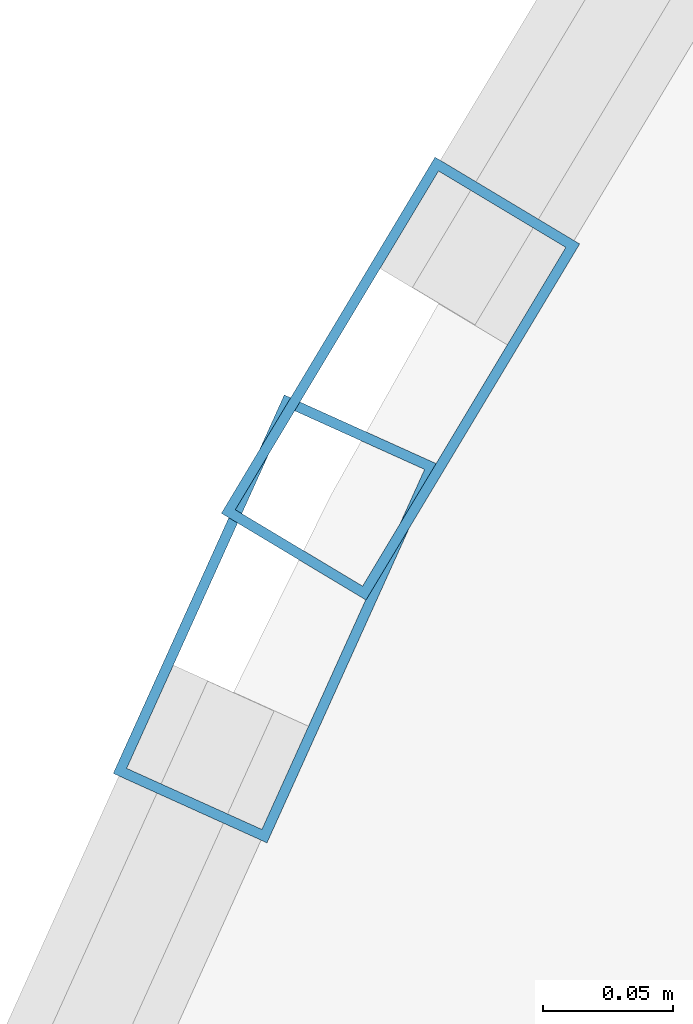
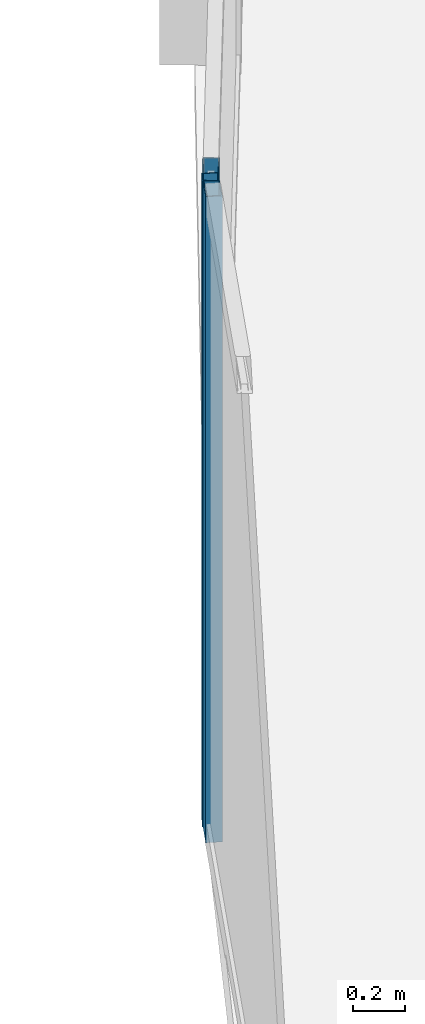
# One storey, part 11 of 33: 2 members, 2 elements without a shape of their own.
"""IFC4 building model written with IfcOpenShell, lengths in metres."""

import ifcopenshell
import ifcopenshell.guid

model = None  # the IFC model being written
_history = None  # IfcOwnerHistory: only IFC2X3 demands one
_inside = {}  # id of a spatial element -> (the spatial element, [elements in it])
_under = {}  # id of a project, library or spatial element -> (it, [spatial elements below it])
_declared = {}  # id of a project -> (the project, [libraries it declares])
_typed = {}  # id of a type object -> (the type object, [elements of that type])
_made_of = {}  # id of a material, layer set ... -> (it, [elements and type objects made of it])


def new_model(schema):
    """Start an empty IFC model of exactly this schema.

    Asked for "IFC4X3", IfcOpenShell would pick the latest addendum, in which some entities
    have other attributes; the version numbers below select the first issue.
    IFC2X3 requires an IfcOwnerHistory on every rooted entity: one is made here for all.
    """
    global model, _history
    if schema == "IFC4X3":
        model = ifcopenshell.file(schema_version=(4, 3, 0, 0))
    else:
        model = ifcopenshell.file(schema=schema)
    _inside.clear()
    _under.clear()
    _declared.clear()
    _typed.clear()
    _made_of.clear()
    _history = None
    if model.schema == "IFC2X3":
        org = make("IfcOrganization", Name="unknown")
        user = make(
            "IfcPersonAndOrganization",
            ThePerson=make("IfcPerson", FamilyName="unknown"),
            TheOrganization=org,
        )
        app = make(
            "IfcApplication",
            ApplicationDeveloper=org,
            Version="unknown",
            ApplicationFullName="unknown",
            ApplicationIdentifier="unknown",
        )
        _history = make(
            "IfcOwnerHistory",
            OwningUser=user,
            OwningApplication=app,
            ChangeAction="ADDED",
            CreationDate=0,
        )
    return model


def make(cls, **values):
    """One entity of the class cls with the attributes given. An attribute that is None is left unset."""
    return model.create_entity(
        cls, **{name: value for name, value in values.items() if value is not None}
    )


def rooted(cls, **values):
    """An entity with a GlobalId (a new one), such as an element, a storey or a relation."""
    return make(cls, GlobalId=ifcopenshell.guid.new(), OwnerHistory=_history, **values)


def si_unit(unit_type, name, prefix=None):
    """IfcSIUnit, for example si_unit("LENGTHUNIT", "METRE", prefix="MILLI")."""
    return make("IfcSIUnit", UnitType=unit_type, Prefix=prefix, Name=name)


def assignment(units):
    """IfcUnitAssignment: the units of a project."""
    return None if units is None else make("IfcUnitAssignment", Units=units)


def point(xyz):
    """IfcCartesianPoint."""
    return None if xyz is None else make("IfcCartesianPoint", Coordinates=xyz)


def direction(xyz):
    """IfcDirection."""
    return None if xyz is None else make("IfcDirection", DirectionRatios=xyz)


def frame(location, z_axis=None, x_axis=None):
    """IfcAxis2Placement3D, a coordinate frame: its origin and axes. An axis left out is left unset."""
    return make(
        "IfcAxis2Placement3D",
        Location=point(location),
        Axis=direction(z_axis),
        RefDirection=direction(x_axis),
    )


def frame_2d(location, x_axis=None):
    """IfcAxis2Placement2D, a coordinate frame in the plane: its origin and x axis."""
    return make(
        "IfcAxis2Placement2D", Location=point(location), RefDirection=direction(x_axis)
    )


def origin():
    """The frame at (0, 0, 0) with its axes left unset."""
    return frame((0.0, 0.0, 0.0))


def origin_2d():
    """The frame at (0, 0) in the plane with its x axis left unset."""
    return frame_2d((0.0, 0.0))


def place(relative_to, where):
    """IfcLocalPlacement: puts the frame where relative to a parent placement (None: the world)."""
    return make(
        "IfcLocalPlacement", PlacementRelTo=relative_to, RelativePlacement=where
    )


def context(
    kind, dimensions, precision=None, world=None, true_north=None, identifier=None
):
    """IfcGeometricRepresentationContext, for example the 3D "Model" context."""
    return make(
        "IfcGeometricRepresentationContext",
        ContextIdentifier=identifier,
        ContextType=kind,
        CoordinateSpaceDimension=dimensions,
        Precision=precision,
        WorldCoordinateSystem=world,
        TrueNorth=true_north,
    )


def subcontext(parent, identifier, kind, view, scale=None):
    """IfcGeometricRepresentationSubContext, for example "Body" below "Model"."""
    return make(
        "IfcGeometricRepresentationSubContext",
        ContextIdentifier=identifier,
        ContextType=kind,
        ParentContext=parent,
        TargetScale=scale,
        TargetView=view,
    )


def project(units=None, contexts=None):
    """IfcProject with its units and contexts."""
    return rooted(
        "IfcProject",
        Name="project",
        RepresentationContexts=contexts,
        UnitsInContext=assignment(units),
    )


def spatial(cls, under=None, at=None, **own):
    """A site, building, storey or space (cls), placed at a placement, below another one or the project."""
    s = rooted(cls, ObjectPlacement=at, **own)
    if under is not None:
        _under.setdefault(under.id(), (under, []))[1].append(s)
    return s


def profile(cls, at=None, kind="AREA", **sizes):
    """A parametric profile (cls). Its sizes go by their IFC names, for example OverallWidth=200.0."""
    return make(cls, ProfileType=kind, Position=at, **sizes)


def hollow_rectangle(**sizes):
    """IfcRectangleHollowProfileDef."""
    return profile("IfcRectangleHollowProfileDef", **sizes)


def extrude(swept, where, along, depth):
    """IfcExtrudedAreaSolid: the profile swept, set in the frame where, extruded along a direction by depth."""
    return make(
        "IfcExtrudedAreaSolid",
        SweptArea=swept,
        Position=where,
        ExtrudedDirection=direction(along),
        Depth=depth,
    )


def shape(context_of_items, identifier, shape_type, items):
    """IfcShapeRepresentation: the items that make up one representation, for example the "Body"."""
    return make(
        "IfcShapeRepresentation",
        ContextOfItems=context_of_items,
        RepresentationIdentifier=identifier,
        RepresentationType=shape_type,
        Items=items,
    )


def material(Name=None, Category=None):
    """IfcMaterial."""
    return make("IfcMaterial", Name=Name, Category=Category)


def layer(
    of_material, thickness, ventilated=None, Name=None, Category=None, Priority=None
):
    """IfcMaterialLayer: one layer of a wall or slab, of a material (None: an air gap)."""
    return make(
        "IfcMaterialLayer",
        Material=of_material,
        LayerThickness=thickness,
        IsVentilated=ventilated,
        Name=Name,
        Category=Category,
        Priority=Priority,
    )


def layer_set(layers, Name=None):
    """IfcMaterialLayerSet."""
    return make("IfcMaterialLayerSet", MaterialLayers=layers, LayerSetName=Name)


def material_profile(
    of_material, cross_section, Name=None, Category=None, Priority=None
):
    """IfcMaterialProfile: a cross section and its material."""
    return make(
        "IfcMaterialProfile",
        Name=Name,
        Material=of_material,
        Profile=cross_section,
        Priority=Priority,
        Category=Category,
    )


def profile_set(profiles, Name=None, composite=None):
    """IfcMaterialProfileSet."""
    return make(
        "IfcMaterialProfileSet",
        Name=Name,
        MaterialProfiles=profiles,
        CompositeProfile=composite,
    )


def made_of(thing, what):
    """Note that an element or type object is made of a material, layer set ...; save() writes the relation."""
    if what is not None:
        _made_of.setdefault(what.id(), (what, []))[1].append(thing)
    return thing


def type_object(cls, material=None, **own):
    """A type object (cls), such as IfcWallType, which elements share."""
    return made_of(rooted(cls, **own), material)


def element(
    cls,
    number,
    at=None,
    inside=None,
    cuts=None,
    type_object=None,
    material=None,
    context=None,
    identifier="Body",
    shape_type=None,
    held_by="IfcProductDefinitionShape",
    body=None,
    shapes=None,
    **own,
):
    """One element of the class cls, such as IfcWall. Its Tag is "e" and its number.

    at: its placement. inside: the storey or other place that contains it. cuts: it is an
    opening in that element (IfcRelVoidsElement). A single representation is given by context,
    identifier, shape_type and body (its items); several are given by shapes. held_by: the class
    of the entity that holds the representations. save() writes the other relations.
    """
    e = rooted(cls, Tag="e%d" % number, ObjectPlacement=at, **own)
    if body is not None:
        shapes = [shape(context, identifier, shape_type, body)]
    if shapes is not None:
        e.Representation = make(held_by, Representations=shapes)
    if inside is not None:
        _inside.setdefault(inside.id(), (inside, []))[1].append(e)
    if cuts is not None:
        rooted(
            "IfcRelVoidsElement", RelatingBuildingElement=cuts, RelatedOpeningElement=e
        )
    if type_object is not None:
        _typed.setdefault(type_object.id(), (type_object, []))[1].append(e)
    return made_of(e, material)


def aggregate(whole, parts):
    """IfcRelAggregates: a whole, such as a stair, and the parts it consists of."""
    return rooted("IfcRelAggregates", RelatingObject=whole, RelatedObjects=parts)


def save(model, path):
    """Write the relations noted so far, then the file.

    IfcRelAggregates (storeys below a building ...), IfcRelContainedInSpatialStructure (elements
    in a storey), IfcRelDefinesByType, IfcRelAssociatesMaterial and IfcRelDeclares: one each for
    every whole, place, type object, material and project.
    """
    for whole, parts in _under.values():
        aggregate(whole, parts)
    for where, things in _inside.values():
        rooted(
            "IfcRelContainedInSpatialStructure",
            RelatedElements=things,
            RelatingStructure=where,
        )
    for kind, things in _typed.values():
        rooted("IfcRelDefinesByType", RelatedObjects=things, RelatingType=kind)
    for what, things in _made_of.values():
        rooted("IfcRelAssociatesMaterial", RelatedObjects=things, RelatingMaterial=what)
    for by, libraries in _declared.values():
        rooted("IfcRelDeclares", RelatingContext=by, RelatedDefinitions=libraries)
    model.write(path)


model = new_model("IFC4")

# Units and contexts
model_context = context("Model", 3, precision=1e-05, world=origin(), true_north=direction((0.0, 1.0)))
body_context = subcontext(model_context, "Body", "Model", "MODEL_VIEW")
ifc_project = project(units=[si_unit("LENGTHUNIT", "METRE"), si_unit("AREAUNIT", "SQUARE_METRE"), si_unit("VOLUMEUNIT", "CUBIC_METRE"), si_unit("PLANEANGLEUNIT", "RADIAN"), si_unit("MASSUNIT", "GRAM", prefix="KILO")], contexts=[model_context])

# Site, building, storey
site_placement = place(None, origin())
site = spatial("IfcSite", under=ifc_project, at=site_placement, CompositionType="ELEMENT")
building_placement = place(site_placement, origin())
building = spatial("IfcBuilding", under=site, at=building_placement, Name="Orvanel Arch Residences", CompositionType="ELEMENT")
storey_placement = place(building_placement, frame((0.0, 0.0, 196.39990234375)))
storey = spatial("IfcBuildingStorey", under=building, at=storey_placement, Name="L55", CompositionType="ELEMENT", Elevation=196.39990234375)

# Curtain wall, member
ifc_material = material(Name="Bronze-anodised aluminium AA6063-T6", Category="aluminium")
ifc_layer = layer(ifc_material, 0.175048828125)
ifc_layer_set = layer_set([ifc_layer], Name="Bronze-anodised aluminium AA6063-T6")
curtain_wall_type = type_object("IfcCurtainWallType", Name="CW4-HI-SYS", PredefinedType="NOTDEFINED", material=ifc_layer_set)
curtain_wall_1_placement = place(storey_placement, origin())
curtain_wall_1 = element("IfcCurtainWall", 1, at=curtain_wall_1_placement, inside=storey, type_object=curtain_wall_type, Name="L55 CW4-HI-SYS Unitised Curtain Wall", PredefinedType="NOTDEFINED")
ifc_material_profile = material_profile(ifc_material, hollow_rectangle(XDim=0.06494140625, YDim=0.159912109375, WallThickness=0.00390625, at=origin_2d()), Name="ALU160x65x4")
ifc_profile_set = profile_set([ifc_material_profile], Name="Bronze-anodised aluminium AA6063-T6")
member_type = type_object("IfcMemberType", Name="MUL-160x65", PredefinedType="MULLION", material=ifc_profile_set)
member_1_placement = place(storey_placement, frame((15.927734375, 24.428955078125, 0.0), z_axis=(0.0, 0.0, 1.0), x_axis=(0.857492925713, -0.514495755426, 0.0)))
member_1 = element("IfcMember", 2, at=member_1_placement, type_object=member_type, Name="CW-S4 mullion 3", PredefinedType="MULLION", context=body_context, shape_type="SweptSolid", body=[
    extrude(hollow_rectangle(XDim=0.06494140625, YDim=0.159912109375, WallThickness=0.00390625, at=origin_2d()), origin(), (0.0, 0.0, 1.0), 3.06005859375),
])
aggregate(curtain_wall_1, [member_1])

curtain_wall_2_placement = place(storey_placement, origin())
curtain_wall_2 = element("IfcCurtainWall", 3, at=curtain_wall_2_placement, inside=storey, type_object=curtain_wall_type, Name="L55 CW4-HI-SYS Unitised Curtain Wall", PredefinedType="NOTDEFINED")
member_2_placement = place(storey_placement, frame((15.879638671875, 24.33642578125, 0.0), z_axis=(0.0, 0.0, 1.0), x_axis=(0.911289439148, -0.41176638777, 0.0)))
member_2 = element("IfcMember", 4, at=member_2_placement, type_object=member_type, Name="CW-S4 mullion 1", PredefinedType="MULLION", context=body_context, shape_type="SweptSolid", body=[
    extrude(hollow_rectangle(XDim=0.06494140625, YDim=0.159912109375, WallThickness=0.00390625, at=origin_2d()), origin(), (0.0, 0.0, 1.0), 3.06005859375),
])
aggregate(curtain_wall_2, [member_2])

save(model, "model.ifc")
